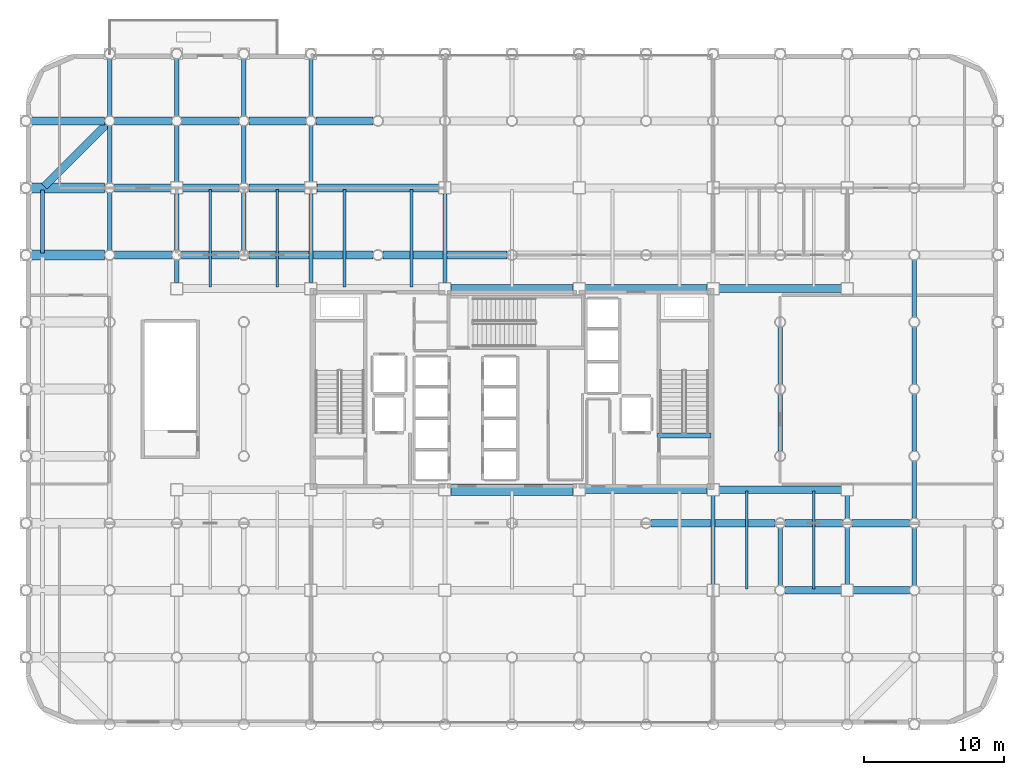
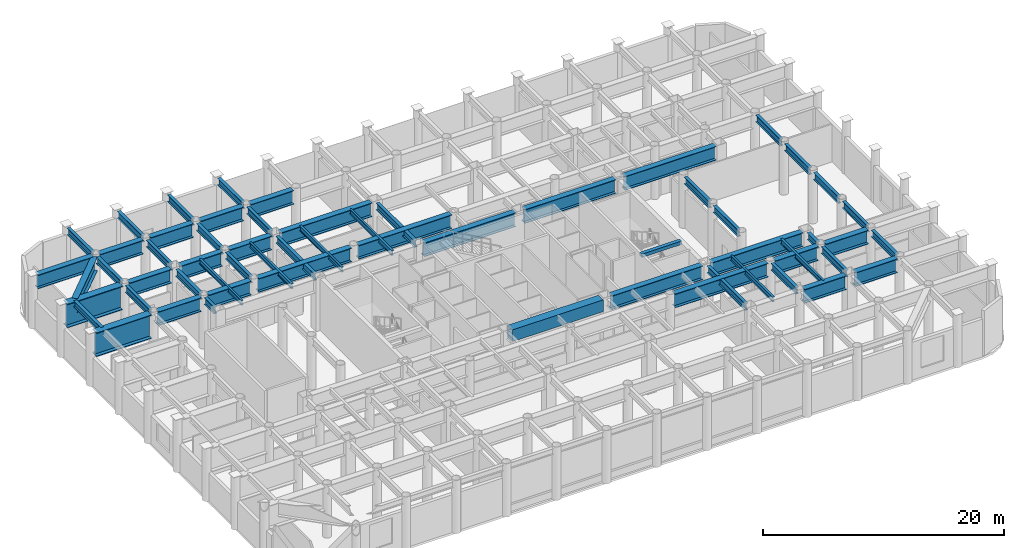
# One storey, part 7 of 20: 60 beams.
"""IFC4 building model written with IfcOpenShell, lengths in metres."""

from ifc_helpers import new_model, si_unit, direction, frame, origin, origin_2d, place, context, subcontext, project, spatial, rectangle, i_section, extrude, material, material_profile, profile_set, type_object, element, save


model = new_model("IFC4")

# Units and contexts
model_context = context("Model", 3, precision=1e-05, world=origin(), true_north=direction((0.0, 1.0)))
body_context = subcontext(model_context, "Body", "Model", "MODEL_VIEW")
ifc_project = project(units=[si_unit("LENGTHUNIT", "METRE"), si_unit("AREAUNIT", "SQUARE_METRE"), si_unit("VOLUMEUNIT", "CUBIC_METRE"), si_unit("PLANEANGLEUNIT", "RADIAN"), si_unit("MASSUNIT", "GRAM", prefix="KILO")], contexts=[model_context])

# Site, building, storey
site_placement = place(None, origin())
site = spatial("IfcSite", under=ifc_project, at=site_placement, CompositionType="ELEMENT")
building_placement = place(site_placement, origin())
building = spatial("IfcBuilding", under=site, at=building_placement, Name="Kallvorn Hotel Tower", CompositionType="ELEMENT")
storey_placement = place(building_placement, frame((0.0, 0.0, 24.60009765625)))
storey = spatial("IfcBuildingStorey", under=building, at=storey_placement, Name="L04", CompositionType="ELEMENT", Elevation=24.60009765625)

# Beams
ifc_material_1 = material(Name="Structural steel S355JR", Category="steel")
ifc_material_profile_1 = material_profile(ifc_material_1, i_section(OverallWidth=0.300048828125, OverallDepth=0.60009765625, WebThickness=0.015380859375, FlangeThickness=0.030029296875, at=origin_2d()), Name="HE 600 B")
ifc_profile_set_1 = profile_set([ifc_material_profile_1], Name="Structural steel S355JR")
beam_type_1 = type_object("IfcBeamType", Name="BM_HE600B", PredefinedType="SPANDREL", material=ifc_profile_set_1)
beam_1_placement = place(storey_placement, frame((-33.60009765625, 9.75, 4.919921875), z_axis=(0.0, 1.0, 0.0), x_axis=(-1.0, 0.0, 0.0)))
element("IfcBeam", 1, at=beam_1_placement, inside=storey, type_object=beam_type_1, Name="L05 Perimeter Spandrel 209", PredefinedType="SPANDREL", context=body_context, shape_type="SweptSolid", body=[
    extrude(i_section(OverallWidth=0.300048828125, OverallDepth=0.60009765625, WebThickness=0.015380859375, FlangeThickness=0.030029296875, at=origin_2d()), origin(), (0.0, 0.0, 1.0), 4.5),
])
ifc_material_2 = material(Name="Structural steel S355JR", Category="steel")
ifc_material_profile_2 = material_profile(ifc_material_2, i_section(OverallWidth=0.300048828125, OverallDepth=0.699951171875, WebThickness=0.01708984375, FlangeThickness=0.031982421875, at=origin_2d()), Name="HE 700 B")
ifc_profile_set_2 = profile_set([ifc_material_profile_2], Name="Structural steel S355JR")
beam_type_2 = type_object("IfcBeamType", Name="BM_HE700B", PredefinedType="BEAM", material=ifc_profile_set_2)
for number, where, z_axis, x_axis, name in (
    (2, (-28.800048828125, 9.9560546875, 4.869873046875), (0.0, 1.0, 0.0), (-1.0, 0.0, 0.0), "L05 Primary Y-Girder 95"),
    (3, (-28.800048828125, 14.756103515625, 4.869873046875), (0.0, 1.0, 0.0), (-1.0, 0.0, 0.0), "L05 Primary Y-Girder 96"),
):
    element("IfcBeam", number, at=place(storey_placement, frame(where, z_axis=z_axis, x_axis=x_axis)), inside=storey, type_object=beam_type_2, Name=name, PredefinedType="BEAM", context=body_context, shape_type="SweptSolid", body=[
        extrude(i_section(OverallWidth=0.300048828125, OverallDepth=0.699951171875, WebThickness=0.01708984375, FlangeThickness=0.031982421875, at=origin_2d()), origin(), (0.0, 0.0, 1.0), 4.087890625),
    ])
beam_2_placement = place(storey_placement, frame((-28.800048828125, 19.555908203125, 4.869873046875), z_axis=(0.0, 1.0, 0.0), x_axis=(-1.0, 0.0, 0.0)))
element("IfcBeam", 4, at=beam_2_placement, inside=storey, type_object=beam_type_2, Name="L05 Primary Y-Girder 97", PredefinedType="BEAM", context=body_context, shape_type="SweptSolid", body=[
    extrude(i_section(OverallWidth=0.300048828125, OverallDepth=0.699951171875, WebThickness=0.01708984375, FlangeThickness=0.031982421875, at=origin_2d()), origin(), (0.0, 0.0, 1.0), 4.088134765625),
])
beam_3_placement = place(storey_placement, frame((-24.0, 7.625, 4.869873046875), z_axis=(0.0, 1.0, 0.0), x_axis=(-1.0, 0.0, 0.0)))
element("IfcBeam", 5, at=beam_3_placement, inside=storey, type_object=beam_type_2, Name="L05 Primary Y-Girder 102", PredefinedType="BEAM", context=body_context, shape_type="SweptSolid", body=[
    extrude(i_section(OverallWidth=0.300048828125, OverallDepth=0.699951171875, WebThickness=0.01708984375, FlangeThickness=0.031982421875, at=origin_2d()), origin(), (0.0, 0.0, 1.0), 1.618896484375),
])
for number, where, z_axis, x_axis, name in (
    (6, (-24.0, 9.9560546875, 4.869873046875), (0.0, 1.0, 0.0), (-1.0, 0.0, 0.0), "L05 Primary Y-Girder 103"),
    (7, (-24.0, 14.824951171875, 4.869873046875), (0.0, 1.0, 0.0), (-1.0, 0.0, 0.0), "L05 Primary Y-Girder 104"),
):
    element("IfcBeam", number, at=place(storey_placement, frame(where, z_axis=z_axis, x_axis=x_axis)), inside=storey, type_object=beam_type_2, Name=name, PredefinedType="BEAM", context=body_context, shape_type="SweptSolid", body=[
        extrude(i_section(OverallWidth=0.300048828125, OverallDepth=0.699951171875, WebThickness=0.01708984375, FlangeThickness=0.031982421875, at=origin_2d()), origin(), (0.0, 0.0, 1.0), 4.01904296875),
    ])
beam_4_placement = place(storey_placement, frame((-24.0, 19.555908203125, 4.869873046875), z_axis=(0.0, 1.0, 0.0), x_axis=(-1.0, 0.0, 0.0)))
element("IfcBeam", 8, at=beam_4_placement, inside=storey, type_object=beam_type_2, Name="L05 Primary Y-Girder 105", PredefinedType="BEAM", context=body_context, shape_type="SweptSolid", body=[
    extrude(i_section(OverallWidth=0.300048828125, OverallDepth=0.699951171875, WebThickness=0.01708984375, FlangeThickness=0.031982421875, at=origin_2d()), origin(), (0.0, 0.0, 1.0), 4.088134765625),
])
for number, where, z_axis, x_axis, name in (
    (9, (-19.199951171875, 9.9560546875, 4.869873046875), (0.0, 1.0, 0.0), (-1.0, 0.0, 0.0), "L05 Primary Y-Girder 113"),
    (10, (-19.199951171875, 14.756103515625, 4.869873046875), (0.0, 1.0, 0.0), (-1.0, 0.0, 0.0), "L05 Primary Y-Girder 114"),
):
    element("IfcBeam", number, at=place(storey_placement, frame(where, z_axis=z_axis, x_axis=x_axis)), inside=storey, type_object=beam_type_2, Name=name, PredefinedType="BEAM", context=body_context, shape_type="SweptSolid", body=[
        extrude(i_section(OverallWidth=0.300048828125, OverallDepth=0.699951171875, WebThickness=0.01708984375, FlangeThickness=0.031982421875, at=origin_2d()), origin(), (0.0, 0.0, 1.0), 4.087890625),
    ])
beam_5_placement = place(storey_placement, frame((-19.199951171875, 19.555908203125, 4.869873046875), z_axis=(0.0, 1.0, 0.0), x_axis=(-1.0, 0.0, 0.0)))
element("IfcBeam", 11, at=beam_5_placement, inside=storey, type_object=beam_type_2, Name="L05 Primary Y-Girder 115", PredefinedType="BEAM", context=body_context, shape_type="SweptSolid", body=[
    extrude(i_section(OverallWidth=0.300048828125, OverallDepth=0.699951171875, WebThickness=0.01708984375, FlangeThickness=0.031982421875, at=origin_2d()), origin(), (0.0, 0.0, 1.0), 4.088134765625),
])
beam_6_placement = place(storey_placement, frame((-14.39990234375, 7.625, 4.869873046875), z_axis=(0.0, 1.0, 0.0), x_axis=(-1.0, 0.0, 0.0)))
element("IfcBeam", 12, at=beam_6_placement, inside=storey, type_object=beam_type_2, Name="L05 Primary Y-Girder 119", PredefinedType="BEAM", context=body_context, shape_type="SweptSolid", body=[
    extrude(i_section(OverallWidth=0.300048828125, OverallDepth=0.699951171875, WebThickness=0.01708984375, FlangeThickness=0.031982421875, at=origin_2d()), origin(), (0.0, 0.0, 1.0), 6.35009765625),
])
beam_7_placement = place(storey_placement, frame((-14.39990234375, 14.824951171875, 4.869873046875), z_axis=(0.0, 1.0, 0.0), x_axis=(-1.0, 0.0, 0.0)))
element("IfcBeam", 13, at=beam_7_placement, inside=storey, type_object=beam_type_2, Name="L05 Primary Y-Girder 120", PredefinedType="BEAM", context=body_context, shape_type="SweptSolid", body=[
    extrude(i_section(OverallWidth=0.300048828125, OverallDepth=0.699951171875, WebThickness=0.01708984375, FlangeThickness=0.031982421875, at=origin_2d()), origin(), (0.0, 0.0, 1.0), 4.01904296875),
])
beam_8_placement = place(storey_placement, frame((-14.39990234375, 19.555908203125, 4.869873046875), z_axis=(0.0, 1.0, 0.0), x_axis=(-1.0, 0.0, 0.0)))
element("IfcBeam", 14, at=beam_8_placement, inside=storey, type_object=beam_type_2, Name="L05 Primary Y-Girder 121", PredefinedType="BEAM", context=body_context, shape_type="SweptSolid", body=[
    extrude(i_section(OverallWidth=0.300048828125, OverallDepth=0.699951171875, WebThickness=0.01708984375, FlangeThickness=0.031982421875, at=origin_2d()), origin(), (0.0, 0.0, 1.0), 4.088134765625),
])
for number, where, z_axis, x_axis, name in (
    (15, (-4.800048828125, 7.625, 4.869873046875), (0.0, 1.0, 0.0), (-1.0, 0.0, 0.0), "L05 Primary Y-Girder 129"),
    (16, (14.39990234375, -13.97509765625, 4.869873046875), (0.0, 1.0, 0.0), (-1.0, 0.0, 0.0), "L05 Primary Y-Girder 148"),
):
    element("IfcBeam", number, at=place(storey_placement, frame(where, z_axis=z_axis, x_axis=x_axis)), inside=storey, type_object=beam_type_2, Name=name, PredefinedType="BEAM", context=body_context, shape_type="SweptSolid", body=[
        extrude(i_section(OverallWidth=0.300048828125, OverallDepth=0.699951171875, WebThickness=0.01708984375, FlangeThickness=0.031982421875, at=origin_2d()), origin(), (0.0, 0.0, 1.0), 6.35009765625),
    ])
beam_9_placement = place(storey_placement, frame((19.199951171875, -14.0439453125, 4.869873046875), z_axis=(0.0, 1.0, 0.0), x_axis=(-1.0, 0.0, 0.0)))
element("IfcBeam", 17, at=beam_9_placement, inside=storey, type_object=beam_type_2, Name="L05 Primary Y-Girder 154", PredefinedType="BEAM", context=body_context, shape_type="SweptSolid", body=[
    extrude(i_section(OverallWidth=0.300048828125, OverallDepth=0.699951171875, WebThickness=0.01708984375, FlangeThickness=0.031982421875, at=origin_2d()), origin(), (0.0, 0.0, 1.0), 4.087890625),
])
for number, where, z_axis, x_axis, name in (
    (18, (19.199951171875, -4.444091796875, 4.869873046875), (0.0, 1.0, 0.0), (-1.0, 0.0, 0.0), "L05 Primary Y-Girder 156"),
    (19, (19.199951171875, 0.35595703125, 4.869873046875), (0.0, 1.0, 0.0), (-1.0, 0.0, 0.0), "L05 Primary Y-Girder 157"),
):
    element("IfcBeam", number, at=place(storey_placement, frame(where, z_axis=z_axis, x_axis=x_axis)), inside=storey, type_object=beam_type_2, Name=name, PredefinedType="BEAM", context=body_context, shape_type="SweptSolid", body=[
        extrude(i_section(OverallWidth=0.300048828125, OverallDepth=0.699951171875, WebThickness=0.01708984375, FlangeThickness=0.031982421875, at=origin_2d()), origin(), (0.0, 0.0, 1.0), 4.088134765625),
    ])
beam_10_placement = place(storey_placement, frame((24.0, -13.97509765625, 4.869873046875), z_axis=(0.0, 1.0, 0.0), x_axis=(-1.0, 0.0, 0.0)))
element("IfcBeam", 20, at=beam_10_placement, inside=storey, type_object=beam_type_2, Name="L05 Primary Y-Girder 164", PredefinedType="BEAM", context=body_context, shape_type="SweptSolid", body=[
    extrude(i_section(OverallWidth=0.300048828125, OverallDepth=0.699951171875, WebThickness=0.01708984375, FlangeThickness=0.031982421875, at=origin_2d()), origin(), (0.0, 0.0, 1.0), 4.01904296875),
])
beam_11_placement = place(storey_placement, frame((24.0, -9.243896484375, 4.869873046875), z_axis=(0.0, 1.0, 0.0), x_axis=(-1.0, 0.0, 0.0)))
element("IfcBeam", 21, at=beam_11_placement, inside=storey, type_object=beam_type_2, Name="L05 Primary Y-Girder 165", PredefinedType="BEAM", context=body_context, shape_type="SweptSolid", body=[
    extrude(i_section(OverallWidth=0.300048828125, OverallDepth=0.699951171875, WebThickness=0.01708984375, FlangeThickness=0.031982421875, at=origin_2d()), origin(), (0.0, 0.0, 1.0), 1.618896484375),
])
for number, where, z_axis, x_axis, name in (
    (22, (28.800048828125, -14.0439453125, 4.869873046875), (0.0, 1.0, 0.0), (-1.0, 0.0, 0.0), "L05 Primary Y-Girder 172"),
    (23, (28.800048828125, -9.243896484375, 4.869873046875), (0.0, 1.0, 0.0), (-1.0, 0.0, 0.0), "L05 Primary Y-Girder 173"),
):
    element("IfcBeam", number, at=place(storey_placement, frame(where, z_axis=z_axis, x_axis=x_axis)), inside=storey, type_object=beam_type_2, Name=name, PredefinedType="BEAM", context=body_context, shape_type="SweptSolid", body=[
        extrude(i_section(OverallWidth=0.300048828125, OverallDepth=0.699951171875, WebThickness=0.01708984375, FlangeThickness=0.031982421875, at=origin_2d()), origin(), (0.0, 0.0, 1.0), 4.087890625),
    ])
for number, where, z_axis, x_axis, name in (
    (24, (28.800048828125, -4.444091796875, 4.869873046875), (0.0, 1.0, 0.0), (-1.0, 0.0, 0.0), "L05 Primary Y-Girder 174"),
    (25, (28.800048828125, 0.35595703125, 4.869873046875), (0.0, 1.0, 0.0), (-1.0, 0.0, 0.0), "L05 Primary Y-Girder 175"),
):
    element("IfcBeam", number, at=place(storey_placement, frame(where, z_axis=z_axis, x_axis=x_axis)), inside=storey, type_object=beam_type_2, Name=name, PredefinedType="BEAM", context=body_context, shape_type="SweptSolid", body=[
        extrude(i_section(OverallWidth=0.300048828125, OverallDepth=0.699951171875, WebThickness=0.01708984375, FlangeThickness=0.031982421875, at=origin_2d()), origin(), (0.0, 0.0, 1.0), 4.088134765625),
    ])
beam_12_placement = place(storey_placement, frame((28.800048828125, 5.156005859375, 4.869873046875), z_axis=(0.0, 1.0, 0.0), x_axis=(-1.0, 0.0, 0.0)))
element("IfcBeam", 26, at=beam_12_placement, inside=storey, type_object=beam_type_2, Name="L05 Primary Y-Girder 176", PredefinedType="BEAM", context=body_context, shape_type="SweptSolid", body=[
    extrude(i_section(OverallWidth=0.300048828125, OverallDepth=0.699951171875, WebThickness=0.01708984375, FlangeThickness=0.031982421875, at=origin_2d()), origin(), (0.0, 0.0, 1.0), 4.087890625),
])
ifc_material_3 = material(Name="Structural steel S355JR", Category="steel")
ifc_material_profile_3 = material_profile(ifc_material_3, i_section(OverallWidth=0.199951171875, OverallDepth=0.5, WebThickness=0.01025390625, FlangeThickness=0.01611328125, at=origin_2d()), Name="IPE 500")
ifc_profile_set_3 = profile_set([ifc_material_profile_3], Name="Structural steel S355JR")
beam_type_3 = type_object("IfcBeamType", Name="BM_IPE500", PredefinedType="JOIST", material=ifc_profile_set_3)
for number, where, z_axis, x_axis, name in (
    (27, (-21.60009765625, 7.300048828125, 4.969970703125), (0.0, 1.0, 0.0), (-1.0, 0.0, 0.0), "L05 Secondary Composite Joist 222"),
    (28, (-16.800048828125, 7.300048828125, 4.969970703125), (0.0, 1.0, 0.0), (-1.0, 0.0, 0.0), "L05 Secondary Composite Joist 224"),
    (29, (-12.0, 7.300048828125, 4.969970703125), (0.0, 1.0, 0.0), (-1.0, 0.0, 0.0), "L05 Secondary Composite Joist 226"),
    (30, (-7.199951171875, 7.300048828125, 4.969970703125), (0.0, 1.0, 0.0), (-1.0, 0.0, 0.0), "L05 Secondary Composite Joist 228"),
    (31, (16.800048828125, -14.300048828125, 4.969970703125), (0.0, 1.0, 0.0), (-1.0, 0.0, 0.0), "L05 Secondary Composite Joist 235"),
    (32, (21.60009765625, -14.300048828125, 4.969970703125), (0.0, 1.0, 0.0), (-1.0, 0.0, 0.0), "L05 Secondary Composite Joist 237"),
):
    element("IfcBeam", number, at=place(storey_placement, frame(where, z_axis=z_axis, x_axis=x_axis)), inside=storey, type_object=beam_type_3, Name=name, PredefinedType="JOIST", context=body_context, shape_type="SweptSolid", body=[
        extrude(i_section(OverallWidth=0.199951171875, OverallDepth=0.5, WebThickness=0.01025390625, FlangeThickness=0.01611328125, at=origin_2d()), origin(), (0.0, 0.0, 1.0), 7.0),
    ])
ifc_material_4 = material(Name="Structural steel S355JR", Category="steel")
ifc_material_profile_4 = material_profile(ifc_material_4, i_section(OverallWidth=0.550048828125, OverallDepth=1.39990234375, WebThickness=0.02490234375, FlangeThickness=0.044921875, at=origin_2d()), Name="PG 1400x550x25x45")
ifc_profile_set_4 = profile_set([ifc_material_profile_4], Name="Structural steel S355JR")
beam_type_4 = type_object("IfcBeamType", Name="BM_PG_1400", PredefinedType="BEAM", material=ifc_profile_set_4)
for number, where, z_axis, x_axis, name in (
    (33, (19.555908203125, -14.39990234375, 4.52001953125), (1.0, 0.0, 0.0), (0.0, 1.0, 0.0), "L05 Primary X-Girder 31"),
    (34, (24.425048828125, -14.39990234375, 4.52001953125), (1.0, 0.0, 0.0), (0.0, 1.0, 0.0), "L05 Primary X-Girder 32"),
):
    element("IfcBeam", number, at=place(storey_placement, frame(where, z_axis=z_axis, x_axis=x_axis)), inside=storey, type_object=beam_type_4, Name=name, PredefinedType="BEAM", context=body_context, shape_type="SweptSolid", body=[
        extrude(i_section(OverallWidth=0.550048828125, OverallDepth=1.39990234375, WebThickness=0.02490234375, FlangeThickness=0.044921875, at=origin_2d()), origin(), (0.0, 0.0, 1.0), 4.01904296875),
    ])
beam_13_placement = place(storey_placement, frame((9.9560546875, -9.60009765625, 4.52001953125), z_axis=(1.0, 0.0, 0.0), x_axis=(0.0, 1.0, 0.0)))
element("IfcBeam", 35, at=beam_13_placement, inside=storey, type_object=beam_type_4, Name="L05 Primary X-Girder 40", PredefinedType="BEAM", context=body_context, shape_type="SweptSolid", body=[
    extrude(i_section(OverallWidth=0.550048828125, OverallDepth=1.39990234375, WebThickness=0.02490234375, FlangeThickness=0.044921875, at=origin_2d()), origin(), (0.0, 0.0, 1.0), 8.887939453125),
])
for number, where, z_axis, x_axis, name in (
    (36, (19.555908203125, -9.60009765625, 4.52001953125), (1.0, 0.0, 0.0), (0.0, 1.0, 0.0), "L05 Primary X-Girder 41"),
    (37, (24.35595703125, -9.60009765625, 4.52001953125), (1.0, 0.0, 0.0), (0.0, 1.0, 0.0), "L05 Primary X-Girder 42"),
):
    element("IfcBeam", number, at=place(storey_placement, frame(where, z_axis=z_axis, x_axis=x_axis)), inside=storey, type_object=beam_type_4, Name=name, PredefinedType="BEAM", context=body_context, shape_type="SweptSolid", body=[
        extrude(i_section(OverallWidth=0.550048828125, OverallDepth=1.39990234375, WebThickness=0.02490234375, FlangeThickness=0.044921875, at=origin_2d()), origin(), (0.0, 0.0, 1.0), 4.088134765625),
    ])
for number, where, z_axis, x_axis, name in (
    (38, (5.22509765625, -7.199951171875, 4.52001953125), (1.0, 0.0, 0.0), (0.0, 1.0, 0.0), "L05 Primary X-Girder 46"),
    (39, (14.824951171875, -7.199951171875, 4.52001953125), (1.0, 0.0, 0.0), (0.0, 1.0, 0.0), "L05 Primary X-Girder 47"),
    (40, (-4.375, 7.199951171875, 4.52001953125), (1.0, 0.0, 0.0), (0.0, 1.0, 0.0), "L05 Primary X-Girder 50"),
    (41, (5.22509765625, 7.199951171875, 4.52001953125), (1.0, 0.0, 0.0), (0.0, 1.0, 0.0), "L05 Primary X-Girder 51"),
    (42, (14.824951171875, 7.199951171875, 4.52001953125), (1.0, 0.0, 0.0), (0.0, 1.0, 0.0), "L05 Primary X-Girder 52"),
):
    element("IfcBeam", number, at=place(storey_placement, frame(where, z_axis=z_axis, x_axis=x_axis)), inside=storey, type_object=beam_type_4, Name=name, PredefinedType="BEAM", context=body_context, shape_type="SweptSolid", body=[
        extrude(i_section(OverallWidth=0.550048828125, OverallDepth=1.39990234375, WebThickness=0.02490234375, FlangeThickness=0.044921875, at=origin_2d()), origin(), (0.0, 0.0, 1.0), 8.75),
    ])
for number, where, z_axis, x_axis, name in (
    (43, (-28.444091796875, 9.60009765625, 4.52001953125), (1.0, 0.0, 0.0), (0.0, 1.0, 0.0), "L05 Primary X-Girder 54"),
    (44, (-23.64404296875, 9.60009765625, 4.52001953125), (1.0, 0.0, 0.0), (0.0, 1.0, 0.0), "L05 Primary X-Girder 55"),
):
    element("IfcBeam", number, at=place(storey_placement, frame(where, z_axis=z_axis, x_axis=x_axis)), inside=storey, type_object=beam_type_4, Name=name, PredefinedType="BEAM", context=body_context, shape_type="SweptSolid", body=[
        extrude(i_section(OverallWidth=0.550048828125, OverallDepth=1.39990234375, WebThickness=0.02490234375, FlangeThickness=0.044921875, at=origin_2d()), origin(), (0.0, 0.0, 1.0), 4.088134765625),
    ])
for number, where, z_axis, x_axis, name in (
    (45, (-18.843994140625, 9.60009765625, 4.52001953125), (1.0, 0.0, 0.0), (0.0, 1.0, 0.0), "L05 Primary X-Girder 56"),
    (46, (-9.243896484375, 9.60009765625, 4.52001953125), (1.0, 0.0, 0.0), (0.0, 1.0, 0.0), "L05 Primary X-Girder 57"),
):
    element("IfcBeam", number, at=place(storey_placement, frame(where, z_axis=z_axis, x_axis=x_axis)), inside=storey, type_object=beam_type_4, Name=name, PredefinedType="BEAM", context=body_context, shape_type="SweptSolid", body=[
        extrude(i_section(OverallWidth=0.550048828125, OverallDepth=1.39990234375, WebThickness=0.02490234375, FlangeThickness=0.044921875, at=origin_2d()), origin(), (0.0, 0.0, 1.0), 8.887939453125),
    ])
for number, where, z_axis, x_axis, name in (
    (47, (-28.444091796875, 14.39990234375, 4.52001953125), (1.0, 0.0, 0.0), (0.0, 1.0, 0.0), "L05 Primary X-Girder 64"),
    (48, (-23.574951171875, 14.39990234375, 4.52001953125), (1.0, 0.0, 0.0), (0.0, 1.0, 0.0), "L05 Primary X-Girder 65"),
    (49, (-18.843994140625, 14.39990234375, 4.52001953125), (1.0, 0.0, 0.0), (0.0, 1.0, 0.0), "L05 Primary X-Girder 66"),
):
    element("IfcBeam", number, at=place(storey_placement, frame(where, z_axis=z_axis, x_axis=x_axis)), inside=storey, type_object=beam_type_4, Name=name, PredefinedType="BEAM", context=body_context, shape_type="SweptSolid", body=[
        extrude(i_section(OverallWidth=0.550048828125, OverallDepth=1.39990234375, WebThickness=0.02490234375, FlangeThickness=0.044921875, at=origin_2d()), origin(), (0.0, 0.0, 1.0), 4.01904296875),
    ])
beam_14_placement = place(storey_placement, frame((-13.97509765625, 14.39990234375, 4.52001953125), z_axis=(1.0, 0.0, 0.0), x_axis=(0.0, 1.0, 0.0)))
element("IfcBeam", 50, at=beam_14_placement, inside=storey, type_object=beam_type_4, Name="L05 Primary X-Girder 67", PredefinedType="BEAM", context=body_context, shape_type="SweptSolid", body=[
    extrude(i_section(OverallWidth=0.550048828125, OverallDepth=1.39990234375, WebThickness=0.02490234375, FlangeThickness=0.044921875, at=origin_2d()), origin(), (0.0, 0.0, 1.0), 8.75),
])
beam_15_placement = place(storey_placement, frame((-34.444091796875, 19.199951171875, 4.52001953125), z_axis=(1.0, 0.0, 0.0), x_axis=(0.0, 1.0, 0.0)))
element("IfcBeam", 51, at=beam_15_placement, inside=storey, type_object=beam_type_4, Name="L05 Primary X-Girder 74", PredefinedType="BEAM", context=body_context, shape_type="SweptSolid", body=[
    extrude(i_section(OverallWidth=0.550048828125, OverallDepth=1.39990234375, WebThickness=0.02490234375, FlangeThickness=0.044921875, at=origin_2d()), origin(), (0.0, 0.0, 1.0), 5.2880859375),
])
for number, where, z_axis, x_axis, name in (
    (52, (-28.444091796875, 19.199951171875, 4.52001953125), (1.0, 0.0, 0.0), (0.0, 1.0, 0.0), "L05 Primary X-Girder 75"),
    (53, (-23.64404296875, 19.199951171875, 4.52001953125), (1.0, 0.0, 0.0), (0.0, 1.0, 0.0), "L05 Primary X-Girder 76"),
):
    element("IfcBeam", number, at=place(storey_placement, frame(where, z_axis=z_axis, x_axis=x_axis)), inside=storey, type_object=beam_type_4, Name=name, PredefinedType="BEAM", context=body_context, shape_type="SweptSolid", body=[
        extrude(i_section(OverallWidth=0.550048828125, OverallDepth=1.39990234375, WebThickness=0.02490234375, FlangeThickness=0.044921875, at=origin_2d()), origin(), (0.0, 0.0, 1.0), 4.088134765625),
    ])
for number, where, z_axis, x_axis, name in (
    (54, (-18.843994140625, 19.199951171875, 4.52001953125), (1.0, 0.0, 0.0), (0.0, 1.0, 0.0), "L05 Primary X-Girder 77"),
    (55, (-14.0439453125, 19.199951171875, 4.52001953125), (1.0, 0.0, 0.0), (0.0, 1.0, 0.0), "L05 Primary X-Girder 78"),
):
    element("IfcBeam", number, at=place(storey_placement, frame(where, z_axis=z_axis, x_axis=x_axis)), inside=storey, type_object=beam_type_4, Name=name, PredefinedType="BEAM", context=body_context, shape_type="SweptSolid", body=[
        extrude(i_section(OverallWidth=0.550048828125, OverallDepth=1.39990234375, WebThickness=0.02490234375, FlangeThickness=0.044921875, at=origin_2d()), origin(), (0.0, 0.0, 1.0), 4.087890625),
    ])
beam_16_placement = place(storey_placement, frame((-33.493896484375, 14.506103515625, 4.52001953125), z_axis=(0.707106781187, 0.707106781187, 0.0), x_axis=(-0.707106781187, 0.707106781187, 0.0)))
element("IfcBeam", 56, at=beam_16_placement, inside=storey, type_object=beam_type_4, Name="L05 Rounded Corner Tie Beam 219", PredefinedType="BEAM", context=body_context, shape_type="SweptSolid", body=[
    extrude(i_section(OverallWidth=0.550048828125, OverallDepth=1.39990234375, WebThickness=0.02490234375, FlangeThickness=0.044921875, at=origin_2d()), origin(), (0.0, 0.0, 1.0), 6.267333984375),
])
ifc_material_5 = material(Name="Structural steel S355JR", Category="steel")
ifc_material_profile_5 = material_profile(ifc_material_5, i_section(OverallWidth=0.699951171875, OverallDepth=2.39990234375, WebThickness=0.031982421875, FlangeThickness=0.06005859375, at=origin_2d()), Name="PG 2400x700x32x60")
ifc_profile_set_5 = profile_set([ifc_material_profile_5], Name="Structural steel S355JR")
beam_type_5 = type_object("IfcBeamType", Name="BM_PG_2400", PredefinedType="BEAM", material=ifc_profile_set_5)
for number, where, z_axis, x_axis, name in (
    (57, (-34.428955078125, 9.60009765625, 4.02001953125), (1.0, 0.0, 0.0), (0.0, 1.0, 0.0), "L05 Setback Transfer Girder 07"),
    (58, (-34.428955078125, 14.39990234375, 4.02001953125), (1.0, 0.0, 0.0), (0.0, 1.0, 0.0), "L05 Setback Transfer Girder 08"),
):
    element("IfcBeam", number, at=place(storey_placement, frame(where, z_axis=z_axis, x_axis=x_axis)), inside=storey, type_object=beam_type_5, Name=name, PredefinedType="BEAM", context=body_context, shape_type="SweptSolid", body=[
        extrude(i_section(OverallWidth=0.699951171875, OverallDepth=2.39990234375, WebThickness=0.031982421875, FlangeThickness=0.06005859375, at=origin_2d()), origin(), (0.0, 0.0, 1.0), 5.258056640625),
    ])
ifc_material_6 = material(Name="Concrete C50/60", Category="concrete")
ifc_material_profile_6 = material_profile(ifc_material_6, rectangle(XDim=0.360107421875, YDim=0.340087890625, at=origin_2d()), Name="RC 360x340")
ifc_profile_set_6 = profile_set([ifc_material_profile_6], Name="Concrete C50/60")
beam_type_6 = type_object("IfcBeamType", Name="BM_RC_400x360", PredefinedType="BEAM", material=ifc_profile_set_6)
beam_17_placement = place(storey_placement, frame((14.239990234375, -3.31005859375, 5.0498046875), z_axis=(-1.0, 0.0, 0.0), x_axis=(0.0, -1.0, 0.0)))
element("IfcBeam", 59, at=beam_17_placement, inside=storey, type_object=beam_type_6, Name="L05 Stair ST2 Arrival Trimmer Beam", PredefinedType="BEAM", context=body_context, shape_type="SweptSolid", body=[
    extrude(rectangle(XDim=0.360107421875, YDim=0.340087890625, at=origin_2d()), origin(), (0.0, 0.0, 1.0), 3.820068359375),
])
ifc_material_7 = material(Name="Concrete C50/60", Category="concrete")
ifc_material_profile_7 = material_profile(ifc_material_7, rectangle(XDim=0.800048828125, YDim=1.199951171875, at=origin_2d()), Name="RC 800x1200")
ifc_profile_set_7 = profile_set([ifc_material_profile_7], Name="Concrete C50/60")
beam_type_7 = type_object("IfcBeamType", Name="BM_RC_800x1200", PredefinedType="T_BEAM", material=ifc_profile_set_7)
beam_18_placement = place(storey_placement, frame((-4.35009765625, -7.199951171875, 4.619873046875), z_axis=(1.0, 0.0, 0.0), x_axis=(0.0, 1.0, 0.0)))
element("IfcBeam", 60, at=beam_18_placement, inside=storey, type_object=beam_type_7, Name="L04 Core Coupling Beam South", PredefinedType="T_BEAM", context=body_context, shape_type="SweptSolid", body=[
    extrude(rectangle(XDim=0.800048828125, YDim=1.199951171875, at=origin_2d()), origin(), (0.0, 0.0, 1.0), 8.7001953125),
])

save(model, "model.ifc")
